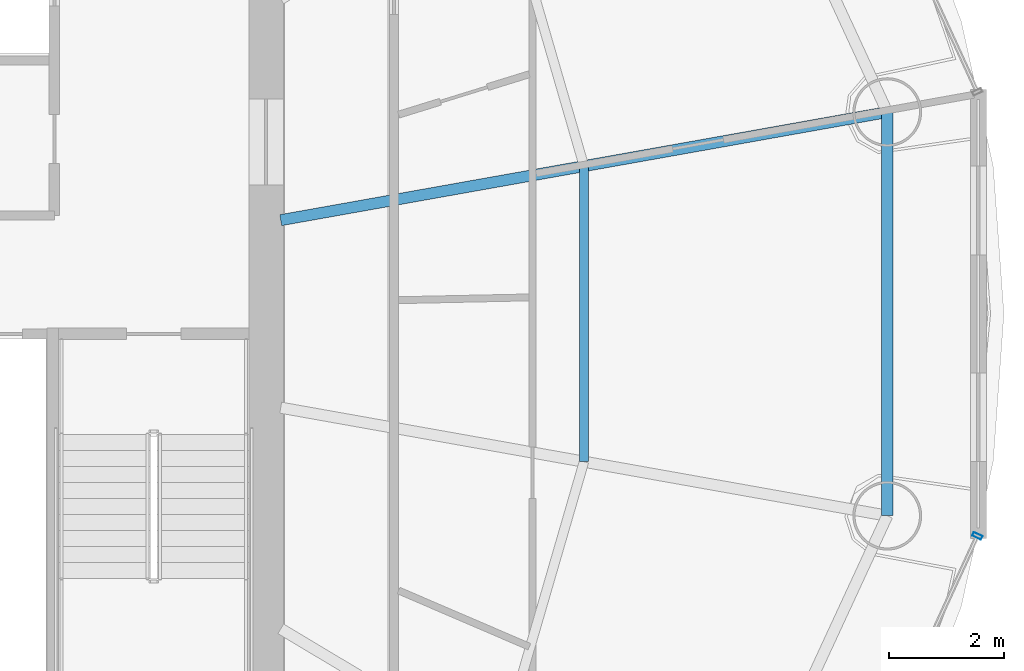
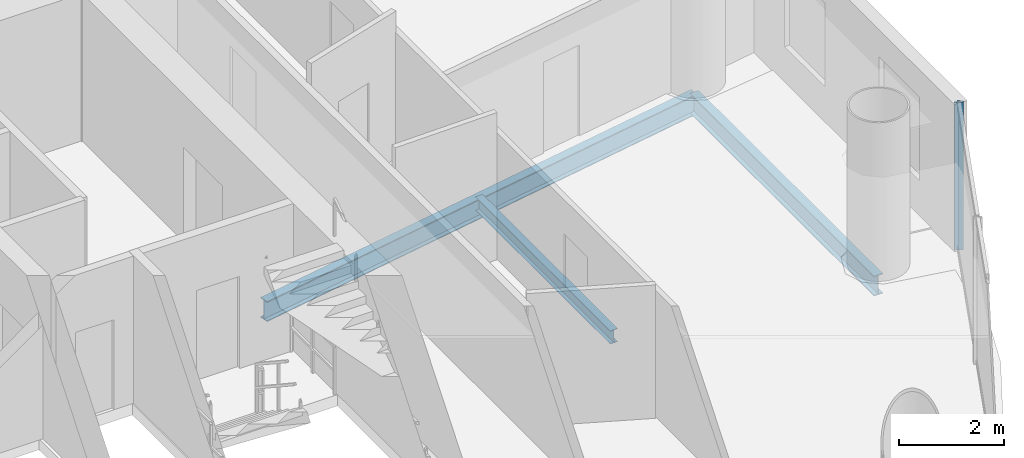
# One storey, part 12 of 26: 3 beams, 1 member, 1 element without a shape of its own.
"""IFC4 building model written with IfcOpenShell, lengths in metres."""

import ifcopenshell
import ifcopenshell.guid

model = None  # the IFC model being written
_history = None  # IfcOwnerHistory: only IFC2X3 demands one
_inside = {}  # id of a spatial element -> (the spatial element, [elements in it])
_under = {}  # id of a project, library or spatial element -> (it, [spatial elements below it])
_declared = {}  # id of a project -> (the project, [libraries it declares])
_typed = {}  # id of a type object -> (the type object, [elements of that type])
_made_of = {}  # id of a material, layer set ... -> (it, [elements and type objects made of it])


def new_model(schema):
    """Start an empty IFC model of exactly this schema.

    Asked for "IFC4X3", IfcOpenShell would pick the latest addendum, in which some entities
    have other attributes; the version numbers below select the first issue.
    IFC2X3 requires an IfcOwnerHistory on every rooted entity: one is made here for all.
    """
    global model, _history
    if schema == "IFC4X3":
        model = ifcopenshell.file(schema_version=(4, 3, 0, 0))
    else:
        model = ifcopenshell.file(schema=schema)
    _inside.clear()
    _under.clear()
    _declared.clear()
    _typed.clear()
    _made_of.clear()
    _history = None
    if model.schema == "IFC2X3":
        org = make("IfcOrganization", Name="unknown")
        user = make(
            "IfcPersonAndOrganization",
            ThePerson=make("IfcPerson", FamilyName="unknown"),
            TheOrganization=org,
        )
        app = make(
            "IfcApplication",
            ApplicationDeveloper=org,
            Version="unknown",
            ApplicationFullName="unknown",
            ApplicationIdentifier="unknown",
        )
        _history = make(
            "IfcOwnerHistory",
            OwningUser=user,
            OwningApplication=app,
            ChangeAction="ADDED",
            CreationDate=0,
        )
    return model


def make(cls, **values):
    """One entity of the class cls with the attributes given. An attribute that is None is left unset."""
    return model.create_entity(
        cls, **{name: value for name, value in values.items() if value is not None}
    )


def rooted(cls, **values):
    """An entity with a GlobalId (a new one), such as an element, a storey or a relation."""
    return make(cls, GlobalId=ifcopenshell.guid.new(), OwnerHistory=_history, **values)


def si_unit(unit_type, name, prefix=None):
    """IfcSIUnit, for example si_unit("LENGTHUNIT", "METRE", prefix="MILLI")."""
    return make("IfcSIUnit", UnitType=unit_type, Prefix=prefix, Name=name)


def assignment(units):
    """IfcUnitAssignment: the units of a project."""
    return None if units is None else make("IfcUnitAssignment", Units=units)


def point(xyz):
    """IfcCartesianPoint."""
    return None if xyz is None else make("IfcCartesianPoint", Coordinates=xyz)


def direction(xyz):
    """IfcDirection."""
    return None if xyz is None else make("IfcDirection", DirectionRatios=xyz)


def frame(location, z_axis=None, x_axis=None):
    """IfcAxis2Placement3D, a coordinate frame: its origin and axes. An axis left out is left unset."""
    return make(
        "IfcAxis2Placement3D",
        Location=point(location),
        Axis=direction(z_axis),
        RefDirection=direction(x_axis),
    )


def frame_2d(location, x_axis=None):
    """IfcAxis2Placement2D, a coordinate frame in the plane: its origin and x axis."""
    return make(
        "IfcAxis2Placement2D", Location=point(location), RefDirection=direction(x_axis)
    )


def origin():
    """The frame at (0, 0, 0) with its axes left unset."""
    return frame((0.0, 0.0, 0.0))


def origin_2d():
    """The frame at (0, 0) in the plane with its x axis left unset."""
    return frame_2d((0.0, 0.0))


def place(relative_to, where):
    """IfcLocalPlacement: puts the frame where relative to a parent placement (None: the world)."""
    return make(
        "IfcLocalPlacement", PlacementRelTo=relative_to, RelativePlacement=where
    )


def context(
    kind, dimensions, precision=None, world=None, true_north=None, identifier=None
):
    """IfcGeometricRepresentationContext, for example the 3D "Model" context."""
    return make(
        "IfcGeometricRepresentationContext",
        ContextIdentifier=identifier,
        ContextType=kind,
        CoordinateSpaceDimension=dimensions,
        Precision=precision,
        WorldCoordinateSystem=world,
        TrueNorth=true_north,
    )


def subcontext(parent, identifier, kind, view, scale=None):
    """IfcGeometricRepresentationSubContext, for example "Body" below "Model"."""
    return make(
        "IfcGeometricRepresentationSubContext",
        ContextIdentifier=identifier,
        ContextType=kind,
        ParentContext=parent,
        TargetScale=scale,
        TargetView=view,
    )


def project(units=None, contexts=None):
    """IfcProject with its units and contexts."""
    return rooted(
        "IfcProject",
        Name="project",
        RepresentationContexts=contexts,
        UnitsInContext=assignment(units),
    )


def spatial(cls, under=None, at=None, **own):
    """A site, building, storey or space (cls), placed at a placement, below another one or the project."""
    s = rooted(cls, ObjectPlacement=at, **own)
    if under is not None:
        _under.setdefault(under.id(), (under, []))[1].append(s)
    return s


def profile(cls, at=None, kind="AREA", **sizes):
    """A parametric profile (cls). Its sizes go by their IFC names, for example OverallWidth=200.0."""
    return make(cls, ProfileType=kind, Position=at, **sizes)


def hollow_rectangle(**sizes):
    """IfcRectangleHollowProfileDef."""
    return profile("IfcRectangleHollowProfileDef", **sizes)


def i_section(**sizes):
    """IfcIShapeProfileDef."""
    return profile("IfcIShapeProfileDef", **sizes)


def extrude(swept, where, along, depth):
    """IfcExtrudedAreaSolid: the profile swept, set in the frame where, extruded along a direction by depth."""
    return make(
        "IfcExtrudedAreaSolid",
        SweptArea=swept,
        Position=where,
        ExtrudedDirection=direction(along),
        Depth=depth,
    )


def shape(context_of_items, identifier, shape_type, items):
    """IfcShapeRepresentation: the items that make up one representation, for example the "Body"."""
    return make(
        "IfcShapeRepresentation",
        ContextOfItems=context_of_items,
        RepresentationIdentifier=identifier,
        RepresentationType=shape_type,
        Items=items,
    )


def source(mapping_origin, context_of_items, identifier, shape_type, items):
    """IfcRepresentationMap: a shape defined once, which mapped items show again and again."""
    return make(
        "IfcRepresentationMap",
        MappingOrigin=mapping_origin,
        MappedRepresentation=shape(context_of_items, identifier, shape_type, items),
    )


def transform(
    local_origin,
    x_axis=None,
    y_axis=None,
    z_axis=None,
    scale=None,
    scale2=None,
    scale3=None,
    uniform=True,
):
    """IfcCartesianTransformationOperator3D, or its non-uniform kind. x_axis, y_axis, z_axis: its Axis1, 2, 3."""
    if uniform:
        return make(
            "IfcCartesianTransformationOperator3D",
            Axis1=direction(x_axis),
            Axis2=direction(y_axis),
            LocalOrigin=point(local_origin),
            Scale=scale,
            Axis3=direction(z_axis),
        )
    return make(
        "IfcCartesianTransformationOperator3DnonUniform",
        Axis1=direction(x_axis),
        Axis2=direction(y_axis),
        LocalOrigin=point(local_origin),
        Scale=scale,
        Axis3=direction(z_axis),
        Scale2=scale2,
        Scale3=scale3,
    )


def mapped(mapping_source, mapping_target):
    """IfcMappedItem: shows the shape of a source again, moved by a transform."""
    return make(
        "IfcMappedItem", MappingSource=mapping_source, MappingTarget=mapping_target
    )


def material(Name=None, Category=None):
    """IfcMaterial."""
    return make("IfcMaterial", Name=Name, Category=Category)


def material_profile(
    of_material, cross_section, Name=None, Category=None, Priority=None
):
    """IfcMaterialProfile: a cross section and its material."""
    return make(
        "IfcMaterialProfile",
        Name=Name,
        Material=of_material,
        Profile=cross_section,
        Priority=Priority,
        Category=Category,
    )


def profile_set(profiles, Name=None, composite=None):
    """IfcMaterialProfileSet."""
    return make(
        "IfcMaterialProfileSet",
        Name=Name,
        MaterialProfiles=profiles,
        CompositeProfile=composite,
    )


def made_of(thing, what):
    """Note that an element or type object is made of a material, layer set ...; save() writes the relation."""
    if what is not None:
        _made_of.setdefault(what.id(), (what, []))[1].append(thing)
    return thing


def type_object(cls, material=None, **own):
    """A type object (cls), such as IfcWallType, which elements share."""
    return made_of(rooted(cls, **own), material)


def element(
    cls,
    number,
    at=None,
    inside=None,
    cuts=None,
    type_object=None,
    material=None,
    context=None,
    identifier="Body",
    shape_type=None,
    held_by="IfcProductDefinitionShape",
    body=None,
    shapes=None,
    **own,
):
    """One element of the class cls, such as IfcWall. Its Tag is "e" and its number.

    at: its placement. inside: the storey or other place that contains it. cuts: it is an
    opening in that element (IfcRelVoidsElement). A single representation is given by context,
    identifier, shape_type and body (its items); several are given by shapes. held_by: the class
    of the entity that holds the representations. save() writes the other relations.
    """
    e = rooted(cls, Tag="e%d" % number, ObjectPlacement=at, **own)
    if body is not None:
        shapes = [shape(context, identifier, shape_type, body)]
    if shapes is not None:
        e.Representation = make(held_by, Representations=shapes)
    if inside is not None:
        _inside.setdefault(inside.id(), (inside, []))[1].append(e)
    if cuts is not None:
        rooted(
            "IfcRelVoidsElement", RelatingBuildingElement=cuts, RelatedOpeningElement=e
        )
    if type_object is not None:
        _typed.setdefault(type_object.id(), (type_object, []))[1].append(e)
    return made_of(e, material)


def aggregate(whole, parts):
    """IfcRelAggregates: a whole, such as a stair, and the parts it consists of."""
    return rooted("IfcRelAggregates", RelatingObject=whole, RelatedObjects=parts)


def save(model, path):
    """Write the relations noted so far, then the file.

    IfcRelAggregates (storeys below a building ...), IfcRelContainedInSpatialStructure (elements
    in a storey), IfcRelDefinesByType, IfcRelAssociatesMaterial and IfcRelDeclares: one each for
    every whole, place, type object, material and project.
    """
    for whole, parts in _under.values():
        aggregate(whole, parts)
    for where, things in _inside.values():
        rooted(
            "IfcRelContainedInSpatialStructure",
            RelatedElements=things,
            RelatingStructure=where,
        )
    for kind, things in _typed.values():
        rooted("IfcRelDefinesByType", RelatedObjects=things, RelatingType=kind)
    for what, things in _made_of.values():
        rooted("IfcRelAssociatesMaterial", RelatedObjects=things, RelatingMaterial=what)
    for by, libraries in _declared.values():
        rooted("IfcRelDeclares", RelatingContext=by, RelatedDefinitions=libraries)
    model.write(path)


model = new_model("IFC4")

# Units and contexts
model_context = context("Model", 3, precision=1e-05, world=origin(), true_north=direction((-0.2419218956, 0.970295726276)))
body_context = subcontext(model_context, "Body", "Model", "MODEL_VIEW")
ifc_project = project(units=[si_unit("LENGTHUNIT", "METRE"), si_unit("AREAUNIT", "SQUARE_METRE"), si_unit("VOLUMEUNIT", "CUBIC_METRE"), si_unit("PLANEANGLEUNIT", "RADIAN"), si_unit("MASSUNIT", "GRAM", prefix="KILO")], contexts=[model_context])

# Site, building, storey
site_placement = place(None, origin())
site = spatial("IfcSite", under=ifc_project, at=site_placement, CompositionType="ELEMENT")
building_placement = place(site_placement, origin())
building = spatial("IfcBuilding", under=site, at=building_placement, Name="Cobrevalo Terracotta Tower", CompositionType="ELEMENT")
storey_placement = place(building_placement, frame((0.0, 0.0, 209.699951171875)))
storey = spatial("IfcBuildingStorey", under=building, at=storey_placement, Name="L55", CompositionType="ELEMENT", Elevation=209.699951171875)

# Beams
ifc_material_1 = material(Name="Steel S355", Category="steel")
ifc_material_profile_1 = material_profile(ifc_material_1, i_section(OverallWidth=0.194091796875, OverallDepth=0.468994140625, WebThickness=0.011474609375, FlangeThickness=0.0205078125, at=origin_2d()), Name="W 460x106")
ifc_profile_set_1 = profile_set([ifc_material_profile_1], Name="Steel S355")
beam_type_1 = type_object("IfcBeamType", Name="Structural Beam W 460x106 (Steel S355)", PredefinedType="BEAM", material=ifc_profile_set_1)
beam_1_placement = place(storey_placement, frame((57.762939453125, 30.3212890625, -0.49951171875), z_axis=(-0.98449712063, -0.175400739656, 0.0), x_axis=(0.175400739656, -0.98449712063, 0.0)))
element("IfcBeam", 1, at=beam_1_placement, inside=storey, type_object=beam_type_1, Name="L55 radial floor girder 01", PredefinedType="BEAM", context=body_context, shape_type="SweptSolid", body=[
    extrude(i_section(OverallWidth=0.194091796875, OverallDepth=0.468994140625, WebThickness=0.011474609375, FlangeThickness=0.0205078125, at=origin_2d()), origin(), (0.0, 0.0, 1.0), 10.749755859375),
])
ifc_material_profile_2 = material_profile(ifc_material_1, i_section(OverallWidth=0.1650390625, OverallDepth=0.31005859375, WebThickness=0.005859375, FlangeThickness=0.009765625, at=origin_2d()), Name="W 310x38.7")
ifc_profile_set_2 = profile_set([ifc_material_profile_2], Name="Steel S355")
beam_type_2 = type_object("IfcBeamType", Name="Structural Joist W 310x38.7 (Steel S355)", PredefinedType="JOIST", material=ifc_profile_set_2)
beam_2_placement = place(storey_placement, frame((52.471435546875, 24.221435546875, -0.419921875), z_axis=(0.0, 1.0, 0.0), x_axis=(-1.0, 0.0, 0.0)))
element("IfcBeam", 2, at=beam_2_placement, inside=storey, type_object=beam_type_2, Name="L55 circumferential secondary floor joist 16", PredefinedType="JOIST", context=body_context, shape_type="SweptSolid", body=[
    extrude(i_section(OverallWidth=0.1650390625, OverallDepth=0.31005859375, WebThickness=0.005859375, FlangeThickness=0.009765625, at=origin_2d()), origin(), (0.0, 0.0, 1.0), 5.1572265625),
])
ifc_material_profile_3 = material_profile(ifc_material_1, i_section(OverallWidth=0.194091796875, OverallDepth=0.468994140625, WebThickness=0.011474609375, FlangeThickness=0.0205078125, at=origin_2d()), Name="W 460x106")
ifc_profile_set_3 = profile_set([ifc_material_profile_3], Name="Steel S355")
beam_type_3 = type_object("IfcBeamType", Name="Structural Spandrel W 460x106 (Steel S355)", PredefinedType="SPANDREL", material=ifc_profile_set_3)
beam_3_placement = place(storey_placement, frame((57.762939453125, 23.278564453125, -0.49951171875), z_axis=(0.0, 1.0, 0.0), x_axis=(-1.0, 0.0, 0.0)))
element("IfcBeam", 3, at=beam_3_placement, inside=storey, type_object=beam_type_3, Name="L55 perimeter ring spandrel 16", PredefinedType="SPANDREL", context=body_context, shape_type="SweptSolid", body=[
    extrude(i_section(OverallWidth=0.194091796875, OverallDepth=0.468994140625, WebThickness=0.011474609375, FlangeThickness=0.0205078125, at=origin_2d()), origin(), (0.0, 0.0, 1.0), 7.042724609375),
])

# Curtain wall, member
ifc_material_2 = material(Name="Anodized aluminium", Category="aluminium")
curtain_wall_type = type_object("IfcCurtainWallType", Name="Mid-tower high-wind unitised curtain wall CW-U2", PredefinedType="NOTDEFINED", material=ifc_material_2)
curtain_wall_placement = place(storey_placement, origin())
curtain_wall = element("IfcCurtainWall", 4, at=curtain_wall_placement, inside=storey, type_object=curtain_wall_type, Name="L55 curtain wall CW-L55-S15", PredefinedType="NOTDEFINED")
ifc_material_profile_4 = material_profile(ifc_material_2, hollow_rectangle(XDim=0.070068359375, YDim=0.169921875, WallThickness=0.00439453125, at=origin_2d()), Name="CWM 70x170")
ifc_profile_set_4 = profile_set([ifc_material_profile_4], Name="Anodized aluminium")
member_type = type_object("IfcMemberType", Name="Upper tower unitised mullion 70x170", PredefinedType="MULLION", material=ifc_profile_set_4)
shared_shape = source(origin(), body_context, "Body", "SweptSolid", [
    extrude(hollow_rectangle(XDim=0.070068359375, YDim=0.169921875, WallThickness=0.00439453125, at=origin_2d()), origin(), (0.0, 0.0, 1.0), 3.43505859375),
])
member_placement = place(storey_placement, frame((59.3349609375, 22.92626953125, 0.0), z_axis=(0.0, 0.0, 1.0), x_axis=(0.41672507912, 0.909032567311, 0.0)))
member = element("IfcMember", 5, at=member_placement, type_object=member_type, Name="CW-L55-S15 vertical mullion 03", PredefinedType="MULLION", context=body_context, shape_type="MappedRepresentation", body=[
    mapped(shared_shape, transform((0.0, 0.0, 0.0), scale=1.0)),
])
aggregate(curtain_wall, [member])

save(model, "model.ifc")
